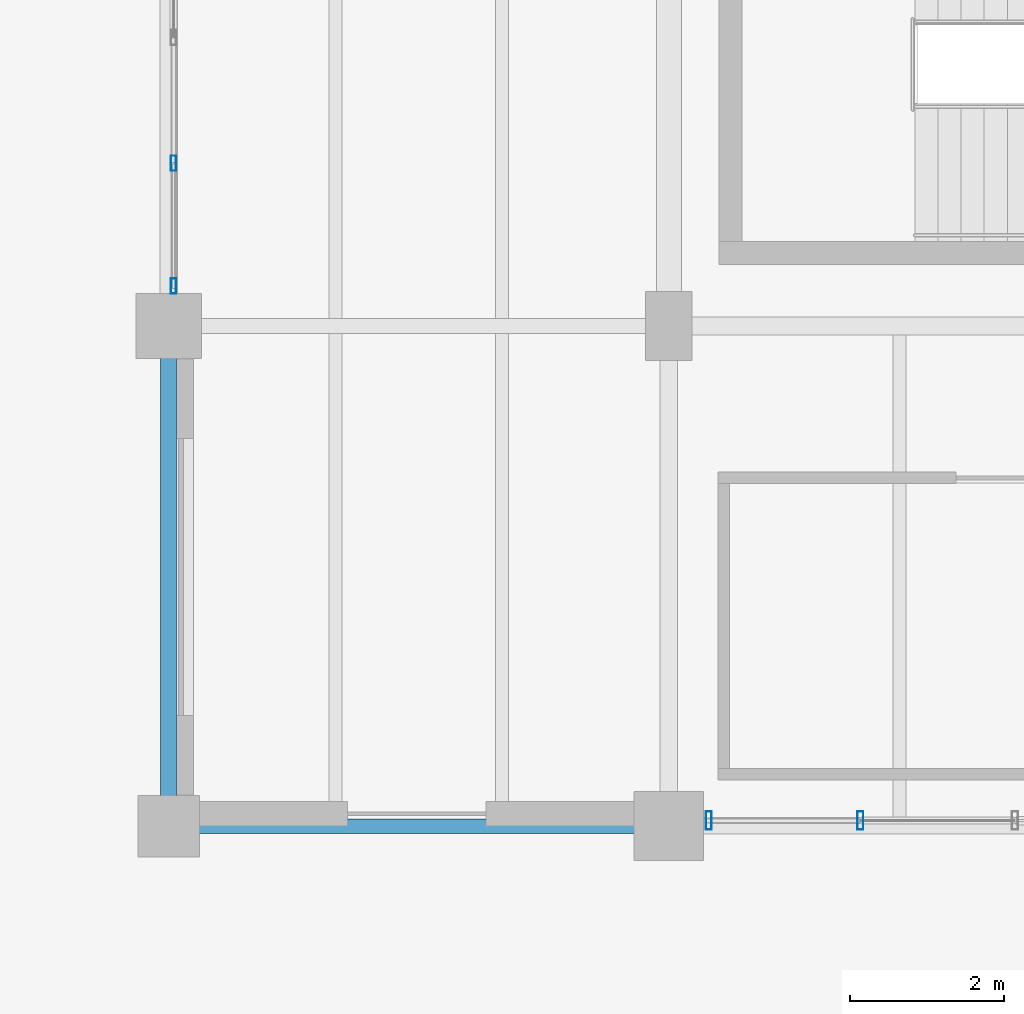
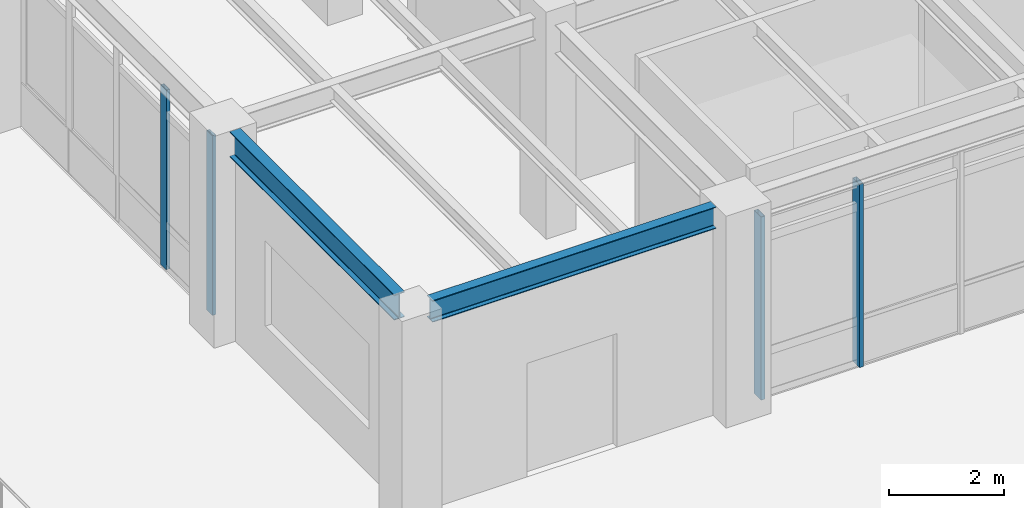
# One storey, part 24 of 200: 4 members, 2 beams, 2 elements without a shape of their own.
"""IFC4 building model written with IfcOpenShell, lengths in metres."""

from ifc_helpers import new_model, si_unit, direction, frame, origin, origin_2d, place, context, subcontext, project, spatial, hollow_rectangle, i_section, extrude, material, material_profile, profile_set, type_object, element, aggregate, save


model = new_model("IFC4")

# Units and contexts
model_context = context("Model", 3, precision=1e-05, world=origin(), true_north=direction((0.0, 1.0)))
body_context = subcontext(model_context, "Body", "Model", "MODEL_VIEW")
ifc_project = project(units=[si_unit("LENGTHUNIT", "METRE"), si_unit("AREAUNIT", "SQUARE_METRE"), si_unit("VOLUMEUNIT", "CUBIC_METRE"), si_unit("PLANEANGLEUNIT", "RADIAN"), si_unit("MASSUNIT", "GRAM", prefix="KILO"), si_unit("THERMODYNAMICTEMPERATUREUNIT", "KELVIN"), si_unit("POWERUNIT", "WATT")], contexts=[model_context])

# Site, building, storey
site_placement = place(None, origin())
site = spatial("IfcSite", under=ifc_project, at=site_placement, CompositionType="ELEMENT")
building_placement = place(site_placement, origin())
building = spatial("IfcBuilding", under=site, at=building_placement, Name="Tepalcoro Natatorium and Aquatics Centre", CompositionType="ELEMENT")
storey_placement = place(building_placement, frame((0.0, 0.0, 5.39990234375)))
storey = spatial("IfcBuildingStorey", under=building, at=storey_placement, Name="L01", CompositionType="ELEMENT", Elevation=5.39990234375)

# Curtain wall, members
ifc_material_1 = material(Name="Bronze-Anodised Extruded Aluminium Alloy EN AW-6063 T6", Category="aluminium")
curtain_wall_type_1 = type_object("IfcCurtainWallType", Name="CW_LEAN_T1_NS", PredefinedType="USERDEFINED", material=ifc_material_1)
curtain_wall_1_placement = place(storey_placement, origin())
curtain_wall_1 = element("IfcCurtainWall", 1, at=curtain_wall_1_placement, inside=storey, type_object=curtain_wall_type_1, Name="V1 L01 W Unitised Curtain Wall Bay 2", ObjectType="FACETED SOLAR GLAZING", PredefinedType="USERDEFINED")
ifc_material_profile_1 = material_profile(ifc_material_1, hollow_rectangle(XDim=0.070068359375, YDim=0.199951171875, WallThickness=0.0048828125, at=origin_2d()), Name="AL70X200X5")
ifc_profile_set_1 = profile_set([ifc_material_profile_1], Name="Bronze-Anodised Extruded Aluminium Alloy EN AW-6063 T6")
member_type_1 = type_object("IfcMemberType", Name="CW_MUL_70x200", PredefinedType="MULLION", material=ifc_profile_set_1)
member_1_placement = place(storey_placement, frame((46.56494140625, 13.52001953125, 0.02001953125), z_axis=(0.0, 0.0, 1.0), x_axis=(1.0, 0.0, 0.0)))
member_1 = element("IfcMember", 2, at=member_1_placement, type_object=member_type_1, Name="CW_LEAN_T1_NS Curtain Wall Mullion", PredefinedType="MULLION", context=body_context, shape_type="SweptSolid", body=[
    extrude(hollow_rectangle(XDim=0.070068359375, YDim=0.199951171875, WallThickness=0.0048828125, at=origin_2d()), origin(), (0.0, 0.0, 1.0), 3.798095703125),
])
member_2_placement = place(storey_placement, frame((46.56494140625, 15.114990234375, 0.02001953125), z_axis=(0.0, 0.0, 1.0), x_axis=(1.0, 0.0, 0.0)))
member_2 = element("IfcMember", 3, at=member_2_placement, type_object=member_type_1, Name="CW_LEAN_T1_NS Curtain Wall Mullion", PredefinedType="MULLION", context=body_context, shape_type="SweptSolid", body=[
    extrude(hollow_rectangle(XDim=0.070068359375, YDim=0.199951171875, WallThickness=0.0048828125, at=origin_2d()), origin(), (0.0, 0.0, 1.0), 3.798095703125),
])
aggregate(curtain_wall_1, [member_1, member_2])

curtain_wall_type_2 = type_object("IfcCurtainWallType", Name="CW_V3_FOYER", PredefinedType="USERDEFINED", material=ifc_material_1)
curtain_wall_2_placement = place(storey_placement, origin())
curtain_wall_2 = element("IfcCurtainWall", 4, at=curtain_wall_2_placement, inside=storey, type_object=curtain_wall_type_2, Name="V1 L01 S Unitised Curtain Wall Bay 2", ObjectType="UNITISED STOREFRONT", PredefinedType="USERDEFINED")
ifc_material_profile_2 = material_profile(ifc_material_1, hollow_rectangle(XDim=0.080078125, YDim=0.239990234375, WallThickness=0.0048828125, at=origin_2d()), Name="AL80X240X5")
ifc_profile_set_2 = profile_set([ifc_material_profile_2], Name="Bronze-Anodised Extruded Aluminium Alloy EN AW-6063 T6")
member_type_2 = type_object("IfcMemberType", Name="CW_MUL_80x240", PredefinedType="MULLION", material=ifc_profile_set_2)
member_3_placement = place(storey_placement, frame((53.52001953125, 6.5712890625, 0.02001953125), z_axis=(0.0, 0.0, 1.0), x_axis=(1.0, 0.0, 0.0)))
member_3 = element("IfcMember", 5, at=member_3_placement, type_object=member_type_2, Name="CW_V3_FOYER Curtain Wall Mullion", PredefinedType="MULLION", context=body_context, shape_type="SweptSolid", body=[
    extrude(hollow_rectangle(XDim=0.080078125, YDim=0.239990234375, WallThickness=0.0048828125, at=origin_2d()), origin(), (0.0, 0.0, 1.0), 3.8740234375),
])
member_4_placement = place(storey_placement, frame((55.489990234375, 6.5712890625, 0.02001953125), z_axis=(0.0, 0.0, 1.0), x_axis=(1.0, 0.0, 0.0)))
member_4 = element("IfcMember", 6, at=member_4_placement, type_object=member_type_2, Name="CW_V3_FOYER Curtain Wall Mullion", PredefinedType="MULLION", context=body_context, shape_type="SweptSolid", body=[
    extrude(hollow_rectangle(XDim=0.080078125, YDim=0.239990234375, WallThickness=0.0048828125, at=origin_2d()), origin(), (0.0, 0.0, 1.0), 3.8740234375),
])
aggregate(curtain_wall_2, [member_3, member_4])

# Beams
ifc_material_2 = material(Name="Steel ASTM A992 Grade 50 (Fy 345 MPa)", Category="steel")
ifc_material_profile_3 = material_profile(ifc_material_2, i_section(OverallWidth=0.19091796875, OverallDepth=0.4599609375, WebThickness=0.010009765625, FlangeThickness=0.01611328125, FilletRadius=0.013916015625, at=origin_2d()), Name="W18X55")
ifc_profile_set_3 = profile_set([ifc_material_profile_3], Name="Steel ASTM A992 Grade 50 (Fy 345 MPa)")
beam_type_1 = type_object("IfcBeamType", Name="SP_W18x55", PredefinedType="SPANDREL", material=ifc_profile_set_3)
beam_1_placement = place(storey_placement, frame((46.885009765625, 6.5, 4.235107421875), z_axis=(1.0, 0.0, 0.0), x_axis=(0.0, 1.0, 0.0)))
element("IfcBeam", 7, at=beam_1_placement, inside=storey, type_object=beam_type_1, Name="V1 L01 Grid Girder X", PredefinedType="SPANDREL", context=body_context, shape_type="SweptSolid", body=[
    extrude(i_section(OverallWidth=0.19091796875, OverallDepth=0.4599609375, WebThickness=0.010009765625, FlangeThickness=0.01611328125, FilletRadius=0.013916015625, at=origin_2d()), origin(), (0.0, 0.0, 1.0), 5.679931640625),
])
ifc_material_profile_4 = material_profile(ifc_material_2, i_section(OverallWidth=0.2099609375, OverallDepth=0.535888671875, WebThickness=0.010986328125, FlangeThickness=0.01708984375, FilletRadius=0.013916015625, at=origin_2d()), Name="W21X68")
ifc_profile_set_4 = profile_set([ifc_material_profile_4], Name="Steel ASTM A992 Grade 50 (Fy 345 MPa)")
beam_type_2 = type_object("IfcBeamType", Name="SP_W21x68", PredefinedType="SPANDREL", material=ifc_profile_set_4)
beam_2_placement = place(storey_placement, frame((46.5, 6.885009765625, 4.197021484375), z_axis=(0.0, 1.0, 0.0), x_axis=(-1.0, 0.0, 0.0)))
element("IfcBeam", 8, at=beam_2_placement, inside=storey, type_object=beam_type_2, Name="V1 L01 Grid Girder Y", PredefinedType="SPANDREL", context=body_context, shape_type="SweptSolid", body=[
    extrude(i_section(OverallWidth=0.2099609375, OverallDepth=0.535888671875, WebThickness=0.010986328125, FlangeThickness=0.01708984375, FilletRadius=0.013916015625, at=origin_2d()), origin(), (0.0, 0.0, 1.0), 5.705078125),
])

save(model, "model.ifc")
